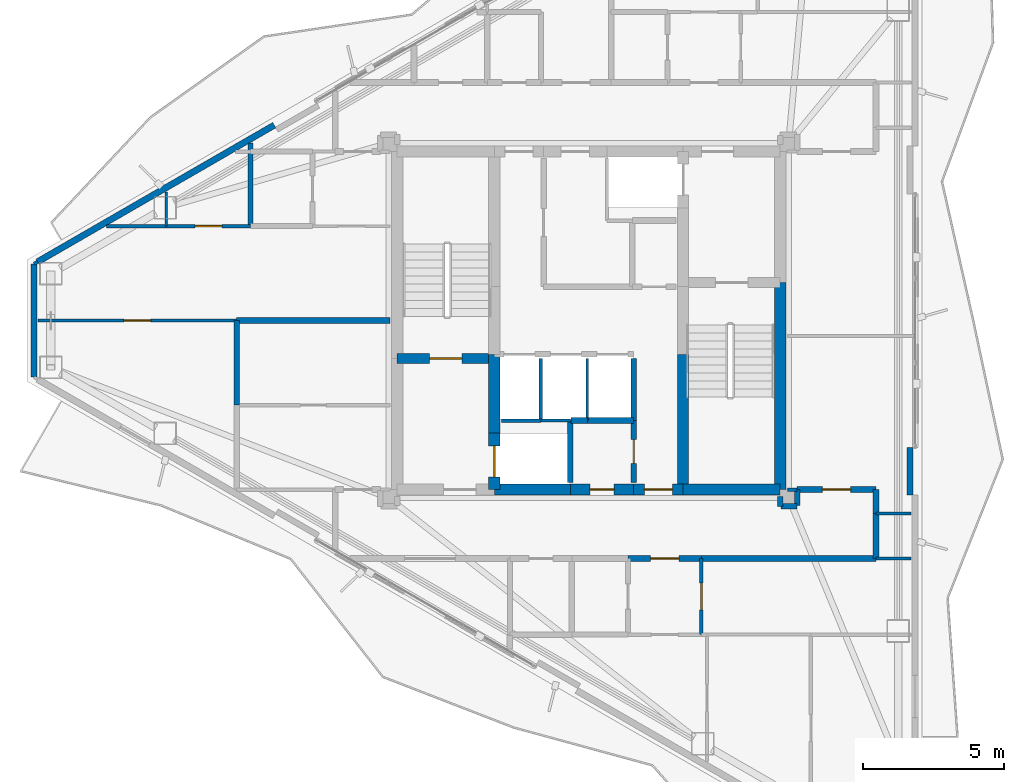
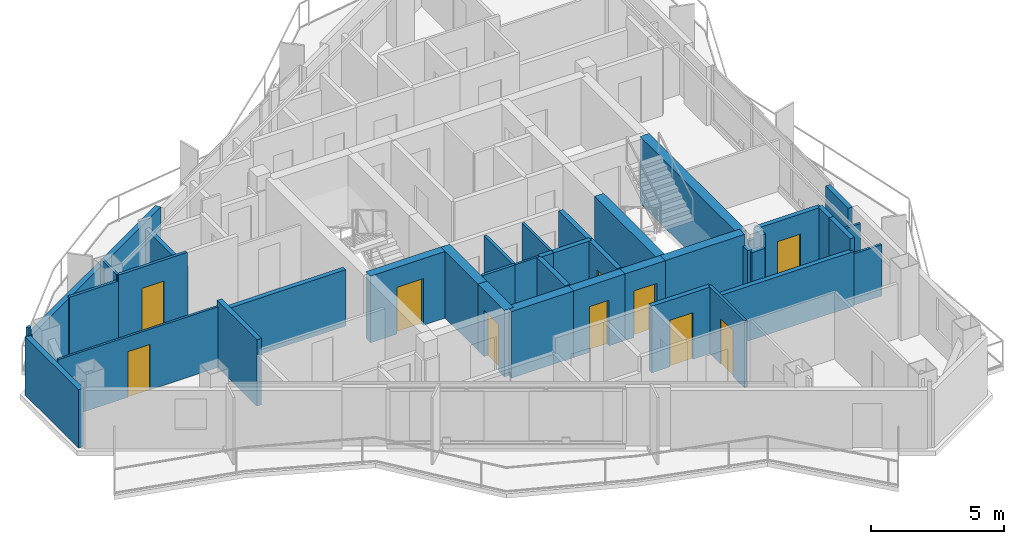
# One storey, part 17 of 22: 41 walls, 10 doors, 10 openings.
"""IFC4 building model written with IfcOpenShell, lengths in metres."""

import ifcopenshell
import ifcopenshell.guid

model = None  # the IFC model being written
_history = None  # IfcOwnerHistory: only IFC2X3 demands one
_inside = {}  # id of a spatial element -> (the spatial element, [elements in it])
_under = {}  # id of a project, library or spatial element -> (it, [spatial elements below it])
_declared = {}  # id of a project -> (the project, [libraries it declares])
_typed = {}  # id of a type object -> (the type object, [elements of that type])
_made_of = {}  # id of a material, layer set ... -> (it, [elements and type objects made of it])


def new_model(schema):
    """Start an empty IFC model of exactly this schema.

    Asked for "IFC4X3", IfcOpenShell would pick the latest addendum, in which some entities
    have other attributes; the version numbers below select the first issue.
    IFC2X3 requires an IfcOwnerHistory on every rooted entity: one is made here for all.
    """
    global model, _history
    if schema == "IFC4X3":
        model = ifcopenshell.file(schema_version=(4, 3, 0, 0))
    else:
        model = ifcopenshell.file(schema=schema)
    _inside.clear()
    _under.clear()
    _declared.clear()
    _typed.clear()
    _made_of.clear()
    _history = None
    if model.schema == "IFC2X3":
        org = make("IfcOrganization", Name="unknown")
        user = make(
            "IfcPersonAndOrganization",
            ThePerson=make("IfcPerson", FamilyName="unknown"),
            TheOrganization=org,
        )
        app = make(
            "IfcApplication",
            ApplicationDeveloper=org,
            Version="unknown",
            ApplicationFullName="unknown",
            ApplicationIdentifier="unknown",
        )
        _history = make(
            "IfcOwnerHistory",
            OwningUser=user,
            OwningApplication=app,
            ChangeAction="ADDED",
            CreationDate=0,
        )
    return model


def make(cls, **values):
    """One entity of the class cls with the attributes given. An attribute that is None is left unset."""
    return model.create_entity(
        cls, **{name: value for name, value in values.items() if value is not None}
    )


def rooted(cls, **values):
    """An entity with a GlobalId (a new one), such as an element, a storey or a relation."""
    return make(cls, GlobalId=ifcopenshell.guid.new(), OwnerHistory=_history, **values)


def si_unit(unit_type, name, prefix=None):
    """IfcSIUnit, for example si_unit("LENGTHUNIT", "METRE", prefix="MILLI")."""
    return make("IfcSIUnit", UnitType=unit_type, Prefix=prefix, Name=name)


def assignment(units):
    """IfcUnitAssignment: the units of a project."""
    return None if units is None else make("IfcUnitAssignment", Units=units)


def point(xyz):
    """IfcCartesianPoint."""
    return None if xyz is None else make("IfcCartesianPoint", Coordinates=xyz)


def direction(xyz):
    """IfcDirection."""
    return None if xyz is None else make("IfcDirection", DirectionRatios=xyz)


def frame(location, z_axis=None, x_axis=None):
    """IfcAxis2Placement3D, a coordinate frame: its origin and axes. An axis left out is left unset."""
    return make(
        "IfcAxis2Placement3D",
        Location=point(location),
        Axis=direction(z_axis),
        RefDirection=direction(x_axis),
    )


def frame_2d(location, x_axis=None):
    """IfcAxis2Placement2D, a coordinate frame in the plane: its origin and x axis."""
    return make(
        "IfcAxis2Placement2D", Location=point(location), RefDirection=direction(x_axis)
    )


def origin():
    """The frame at (0, 0, 0) with its axes left unset."""
    return frame((0.0, 0.0, 0.0))


def place(relative_to, where):
    """IfcLocalPlacement: puts the frame where relative to a parent placement (None: the world)."""
    return make(
        "IfcLocalPlacement", PlacementRelTo=relative_to, RelativePlacement=where
    )


def context(
    kind, dimensions, precision=None, world=None, true_north=None, identifier=None
):
    """IfcGeometricRepresentationContext, for example the 3D "Model" context."""
    return make(
        "IfcGeometricRepresentationContext",
        ContextIdentifier=identifier,
        ContextType=kind,
        CoordinateSpaceDimension=dimensions,
        Precision=precision,
        WorldCoordinateSystem=world,
        TrueNorth=true_north,
    )


def subcontext(parent, identifier, kind, view, scale=None):
    """IfcGeometricRepresentationSubContext, for example "Body" below "Model"."""
    return make(
        "IfcGeometricRepresentationSubContext",
        ContextIdentifier=identifier,
        ContextType=kind,
        ParentContext=parent,
        TargetScale=scale,
        TargetView=view,
    )


def project(units=None, contexts=None):
    """IfcProject with its units and contexts."""
    return rooted(
        "IfcProject",
        Name="project",
        RepresentationContexts=contexts,
        UnitsInContext=assignment(units),
    )


def spatial(cls, under=None, at=None, **own):
    """A site, building, storey or space (cls), placed at a placement, below another one or the project."""
    s = rooted(cls, ObjectPlacement=at, **own)
    if under is not None:
        _under.setdefault(under.id(), (under, []))[1].append(s)
    return s


def profile(cls, at=None, kind="AREA", **sizes):
    """A parametric profile (cls). Its sizes go by their IFC names, for example OverallWidth=200.0."""
    return make(cls, ProfileType=kind, Position=at, **sizes)


def rectangle(**sizes):
    """IfcRectangleProfileDef."""
    return profile("IfcRectangleProfileDef", **sizes)


def extrude(swept, where, along, depth):
    """IfcExtrudedAreaSolid: the profile swept, set in the frame where, extruded along a direction by depth."""
    return make(
        "IfcExtrudedAreaSolid",
        SweptArea=swept,
        Position=where,
        ExtrudedDirection=direction(along),
        Depth=depth,
    )


def shape(context_of_items, identifier, shape_type, items):
    """IfcShapeRepresentation: the items that make up one representation, for example the "Body"."""
    return make(
        "IfcShapeRepresentation",
        ContextOfItems=context_of_items,
        RepresentationIdentifier=identifier,
        RepresentationType=shape_type,
        Items=items,
    )


def material(Name=None, Category=None):
    """IfcMaterial."""
    return make("IfcMaterial", Name=Name, Category=Category)


def layer(
    of_material, thickness, ventilated=None, Name=None, Category=None, Priority=None
):
    """IfcMaterialLayer: one layer of a wall or slab, of a material (None: an air gap)."""
    return make(
        "IfcMaterialLayer",
        Material=of_material,
        LayerThickness=thickness,
        IsVentilated=ventilated,
        Name=Name,
        Category=Category,
        Priority=Priority,
    )


def layer_set(layers, Name=None):
    """IfcMaterialLayerSet."""
    return make("IfcMaterialLayerSet", MaterialLayers=layers, LayerSetName=Name)


def made_of(thing, what):
    """Note that an element or type object is made of a material, layer set ...; save() writes the relation."""
    if what is not None:
        _made_of.setdefault(what.id(), (what, []))[1].append(thing)
    return thing


def type_object(cls, material=None, **own):
    """A type object (cls), such as IfcWallType, which elements share."""
    return made_of(rooted(cls, **own), material)


def element(
    cls,
    number,
    at=None,
    inside=None,
    cuts=None,
    type_object=None,
    material=None,
    context=None,
    identifier="Body",
    shape_type=None,
    held_by="IfcProductDefinitionShape",
    body=None,
    shapes=None,
    **own,
):
    """One element of the class cls, such as IfcWall. Its Tag is "e" and its number.

    at: its placement. inside: the storey or other place that contains it. cuts: it is an
    opening in that element (IfcRelVoidsElement). A single representation is given by context,
    identifier, shape_type and body (its items); several are given by shapes. held_by: the class
    of the entity that holds the representations. save() writes the other relations.
    """
    e = rooted(cls, Tag="e%d" % number, ObjectPlacement=at, **own)
    if body is not None:
        shapes = [shape(context, identifier, shape_type, body)]
    if shapes is not None:
        e.Representation = make(held_by, Representations=shapes)
    if inside is not None:
        _inside.setdefault(inside.id(), (inside, []))[1].append(e)
    if cuts is not None:
        rooted(
            "IfcRelVoidsElement", RelatingBuildingElement=cuts, RelatedOpeningElement=e
        )
    if type_object is not None:
        _typed.setdefault(type_object.id(), (type_object, []))[1].append(e)
    return made_of(e, material)


def fill(opening, filler):
    """IfcRelFillsElement: the door or window that sits in an opening."""
    return rooted(
        "IfcRelFillsElement",
        RelatingOpeningElement=opening,
        RelatedBuildingElement=filler,
    )


def aggregate(whole, parts):
    """IfcRelAggregates: a whole, such as a stair, and the parts it consists of."""
    return rooted("IfcRelAggregates", RelatingObject=whole, RelatedObjects=parts)


def save(model, path):
    """Write the relations noted so far, then the file.

    IfcRelAggregates (storeys below a building ...), IfcRelContainedInSpatialStructure (elements
    in a storey), IfcRelDefinesByType, IfcRelAssociatesMaterial and IfcRelDeclares: one each for
    every whole, place, type object, material and project.
    """
    for whole, parts in _under.values():
        aggregate(whole, parts)
    for where, things in _inside.values():
        rooted(
            "IfcRelContainedInSpatialStructure",
            RelatedElements=things,
            RelatingStructure=where,
        )
    for kind, things in _typed.values():
        rooted("IfcRelDefinesByType", RelatedObjects=things, RelatingType=kind)
    for what, things in _made_of.values():
        rooted("IfcRelAssociatesMaterial", RelatedObjects=things, RelatingMaterial=what)
    for by, libraries in _declared.values():
        rooted("IfcRelDeclares", RelatingContext=by, RelatedDefinitions=libraries)
    model.write(path)


model = new_model("IFC4")

# Units and contexts
model_context = context("Model", 3, precision=1e-05, world=origin(), true_north=direction((0.0, 1.0)))
body_context = subcontext(model_context, "Body", "Model", "MODEL_VIEW")
ifc_project = project(units=[si_unit("LENGTHUNIT", "METRE"), si_unit("AREAUNIT", "SQUARE_METRE"), si_unit("VOLUMEUNIT", "CUBIC_METRE"), si_unit("PLANEANGLEUNIT", "RADIAN"), si_unit("MASSUNIT", "GRAM", prefix="KILO")], contexts=[model_context])

# Site, building, storey
site_placement = place(None, origin())
site = spatial("IfcSite", under=ifc_project, at=site_placement, CompositionType="ELEMENT")
building_placement = place(site_placement, origin())
building = spatial("IfcBuilding", under=site, at=building_placement, Name="Mersakhor Tower and Convention Hall", CompositionType="ELEMENT")
storey_placement = place(building_placement, frame((0.0, 0.0, 195.300048828125)))
storey = spatial("IfcBuildingStorey", under=building, at=storey_placement, Name="L54", CompositionType="ELEMENT", Elevation=195.300048828125)

# Walls
ifc_material_1 = material(Name="Precast concrete C40/50", Category="concrete")
ifc_layer_1 = layer(ifc_material_1, 0.22509765625)
ifc_layer_set_1 = layer_set([ifc_layer_1], Name="Precast concrete C40/50")
wall_type_1 = type_object("IfcWallType", Name="WL-EXT-225", PredefinedType="SOLIDWALL", material=ifc_layer_set_1)
wall_1_placement = place(storey_placement, frame((9.3076171875, 24.73828125, 0.0), z_axis=(0.0, 0.0, 1.0), x_axis=(0.0, 1.0, 0.0)))
element("IfcWall", 1, at=wall_1_placement, inside=storey, type_object=wall_type_1, Name="L54 Chamfer Braced Spandrel Wall C3", PredefinedType="SOLIDWALL", context=body_context, shape_type="SweptSolid", body=[
    extrude(rectangle(XDim=4.0234375, YDim=0.22509765625, at=frame_2d((2.01171875, 0.0))), origin(), (0.0, 0.0, 1.0), 2.68994140625),
])
wall_2_placement = place(storey_placement, frame((9.4375, 28.836669921875, 0.0), z_axis=(0.0, 0.0, 1.0), x_axis=(0.866027133173, 0.499997004599, 0.0)))
element("IfcWall", 2, at=wall_2_placement, inside=storey, type_object=wall_type_1, Name="L54 Exterior Facade Wall F1-B1", PredefinedType="SOLIDWALL", context=body_context, shape_type="SweptSolid", body=[
    extrude(rectangle(XDim=9.69873046875, YDim=0.22509765625, at=frame_2d((4.849365234375, 0.0))), origin(), (0.0, 0.0, 1.0), 2.68994140625),
])
ifc_material_2 = material(Name="Precast concrete C40/50", Category="concrete")
ifc_layer_2 = layer(ifc_material_2, 0.199951171875)
ifc_layer_set_2 = layer_set([ifc_layer_2], Name="Precast concrete C40/50")
wall_type_2 = type_object("IfcWallType", Name="WL-PAR-200", PredefinedType="PARAPET", material=ifc_layer_set_2)
wall_3_placement = place(storey_placement, frame((40.408447265625, 22.25048828125, 0.0), z_axis=(0.0, 0.0, 1.0), x_axis=(0.0, -1.0, 0.0)))
element("IfcWall", 3, at=wall_3_placement, inside=storey, type_object=wall_type_2, Name="L54 Column Pier Cladding Wall F2-C2", PredefinedType="PARAPET", context=body_context, shape_type="SweptSolid", body=[
    extrude(rectangle(XDim=1.699951171875, YDim=0.199951171875, at=frame_2d((0.85009765625, 0.0))), origin(), (0.0, 0.0, 1.0), 2.68994140625),
])
ifc_material_3 = material(Name="Moisture-resistant acoustic drywall studwork", Category="other")
ifc_layer_3 = layer(ifc_material_3, 0.175048828125)
ifc_layer_set_3 = layer_set([ifc_layer_3], Name="Moisture-resistant acoustic drywall studwork")
wall_type_3 = type_object("IfcWallType", Name="WL-PLM-175", PredefinedType="PLUMBINGWALL", material=ifc_layer_set_3)
wall_4_placement = place(storey_placement, frame((17.0, 30.10009765625, 0.0), z_axis=(0.0, 0.0, 1.0), x_axis=(0.0, 1.0, 0.0)))
element("IfcWall", 4, at=wall_4_placement, inside=storey, type_object=wall_type_3, Name="L54 Interior Partition Wall P-078", PredefinedType="PLUMBINGWALL", context=body_context, shape_type="SweptSolid", body=[
    extrude(rectangle(XDim=2.9453125, YDim=0.175048828125, at=frame_2d((1.47265625, 0.0))), origin(), (0.0, 0.0, 1.0), 2.364990234375),
])
ifc_material_4 = material(Name="Lightweight gypsum partition", Category="other")
ifc_layer_4 = layer(ifc_material_4, 0.10009765625)
ifc_layer_set_4 = layer_set([ifc_layer_4], Name="Lightweight gypsum partition")
wall_type_4 = type_object("IfcWallType", Name="WL-PRT-100", PredefinedType="PARTITIONING", material=ifc_layer_set_4)
wall_5_placement = place(storey_placement, frame((27.300048828125, 23.199951171875, 0.0), z_axis=(0.0, 0.0, 1.0), x_axis=(1.0, 0.0, 0.0)))
element("IfcWall", 5, at=wall_5_placement, inside=storey, type_object=wall_type_4, Name="L54 Interior Partition Wall P-002", PredefinedType="PARTITIONING", context=body_context, shape_type="SweptSolid", body=[
    extrude(rectangle(XDim=1.050048828125, YDim=0.10009765625, at=frame_2d((0.52490234375, 0.0))), origin(), (0.0, 0.0, 1.0), 3.070068359375),
])
wall_6_placement = place(storey_placement, frame((28.949951171875, 25.39990234375, 0.0), z_axis=(0.0, 0.0, 1.0), x_axis=(0.0, -1.0, 0.0)))
element("IfcWall", 6, at=wall_6_placement, inside=storey, type_object=wall_type_4, Name="L54 Interior Partition Wall P-008", PredefinedType="PARTITIONING", context=body_context, shape_type="SweptSolid", body=[
    extrude(rectangle(XDim=2.199951171875, YDim=0.10009765625, at=frame_2d((1.10009765625, 0.0))), origin(), (0.0, 0.0, 1.0), 3.070068359375),
])
wall_7_placement = place(storey_placement, frame((39.199951171875, 18.300048828125, 0.0), z_axis=(0.0, 0.0, 1.0), x_axis=(1.0, 0.0, 0.0)))
element("IfcWall", 7, at=wall_7_placement, inside=storey, type_object=wall_type_4, Name="L54 Interior Partition Wall P-072", PredefinedType="PARTITIONING", context=body_context, shape_type="SweptSolid", body=[
    extrude(rectangle(XDim=1.251953125, YDim=0.10009765625, at=frame_2d((0.6259765625, 0.0))), origin(), (0.0, 0.0, 1.0), 2.364990234375),
])
wall_8_placement = place(storey_placement, frame((14.0, 30.10009765625, 0.0), z_axis=(0.0, 0.0, 1.0), x_axis=(0.0, 1.0, 0.0)))
element("IfcWall", 8, at=wall_8_placement, inside=storey, type_object=wall_type_4, Name="L54 Interior Partition Wall P-080", PredefinedType="PARTITIONING", context=body_context, shape_type="SweptSolid", body=[
    extrude(rectangle(XDim=1.213134765625, YDim=0.10009765625, at=frame_2d((0.6064453125, 0.0))), origin(), (0.0, 0.0, 1.0), 3.070068359375),
])
wall_9_placement = place(storey_placement, frame((40.451904296875, 19.89990234375, 0.0), z_axis=(0.0, 0.0, 1.0), x_axis=(-1.0, 0.0, 0.0)))
element("IfcWall", 9, at=wall_9_placement, inside=storey, type_object=wall_type_4, Name="L54 Interior Partition Wall P-094", PredefinedType="PARTITIONING", context=body_context, shape_type="SweptSolid", body=[
    extrude(rectangle(XDim=1.251953125, YDim=0.10009765625, at=frame_2d((0.6259765625, 0.0))), origin(), (0.0, 0.0, 1.0), 2.364990234375),
])

# Wall, opening, door
wall_10_placement = place(storey_placement, frame((16.5, 26.75, 0.0), z_axis=(0.0, 0.0, 1.0), x_axis=(-1.0, 0.0, 0.0)))
wall_10 = element("IfcWall", 10, at=wall_10_placement, inside=storey, type_object=wall_type_4, Name="L54 Interior Partition Wall P-104", PredefinedType="PARTITIONING", context=body_context, shape_type="SweptSolid", body=[
    extrude(rectangle(XDim=7.055908203125, YDim=0.10009765625, at=frame_2d((3.52783203125, 0.0))), origin(), (0.0, 0.0, 1.0), 2.794677734375),
])
opening_1_placement = place(wall_10_placement, frame((3.052978515625, 0.0, 0.0)))
opening_1 = element("IfcOpeningElement", 11, at=opening_1_placement, cuts=wall_10, Name="Opening RD-01", PredefinedType="OPENING", context=body_context, shape_type="SweptSolid", body=[
    extrude(rectangle(XDim=0.949951171875, YDim=2.10009765625, at=frame_2d((0.47509765625, 1.050048828125))), frame((0.0, 0.06005859375, 0.0), z_axis=(0.0, -1.0, 0.0), x_axis=(1.0, 0.0, 0.0)), (0.0, 0.0, 1.0), 0.1201171875),
])
ifc_material_5 = material(Name="Solid-core hardwood leaf in painted steel frame", Category="steel")
door_type_1 = type_object("IfcDoorType", Name="DR-INT-RM-095x210", OperationType="NOTDEFINED", PredefinedType="DOOR", material=ifc_material_5)
door_1_placement = place(opening_1_placement, origin())
door_1 = element("IfcDoor", 12, at=door_1_placement, inside=storey, type_object=door_type_1, Name="L54 L54 Flat W4 Living and Dining Room to L54 Flat W4 Master Bedroom Door", OperationType="SINGLE_SWING_LEFT", OverallHeight=2.10009765625, OverallWidth=0.949951171875, PredefinedType="DOOR", context=body_context, shape_type="SweptSolid", body=[
    extrude(rectangle(XDim=0.949951171875, YDim=2.10009765625, at=frame_2d((0.47509765625, 1.050048828125))), frame((0.0, 0.02490234375, 0.0), z_axis=(0.0, -1.0, 0.0), x_axis=(1.0, 0.0, 0.0)), (0.0, 0.0, 1.0), 0.050048828125),
])
fill(opening_1, door_1)

# Walls
ifc_material_6 = material(Name="Gypsum board acoustic partition", Category="other")
ifc_layer_5 = layer(ifc_material_6, 0.125)
ifc_layer_set_5 = layer_set([ifc_layer_5], Name="Gypsum board acoustic partition")
wall_type_5 = type_object("IfcWallType", Name="WL-PRT-125", PredefinedType="PARTITIONING", material=ifc_layer_set_5)
wall_11_placement = place(storey_placement, frame((25.89990234375, 23.199951171875, 0.0), z_axis=(0.0, 0.0, 1.0), x_axis=(1.0, 0.0, 0.0)))
element("IfcWall", 13, at=wall_11_placement, inside=storey, type_object=wall_type_5, Name="L54 Interior Partition Wall P-001", PredefinedType="PARTITIONING", context=body_context, shape_type="SweptSolid", body=[
    extrude(rectangle(XDim=1.400146484375, YDim=0.125, at=frame_2d((0.7001953125, 0.0))), origin(), (0.0, 0.0, 1.0), 3.070068359375),
])
wall_12_placement = place(storey_placement, frame((27.300048828125, 25.39990234375, 0.0), z_axis=(0.0, 0.0, 1.0), x_axis=(0.0, -1.0, 0.0)))
element("IfcWall", 14, at=wall_12_placement, inside=storey, type_object=wall_type_5, Name="L54 Interior Partition Wall P-007", PredefinedType="PARTITIONING", context=body_context, shape_type="SweptSolid", body=[
    extrude(rectangle(XDim=2.199951171875, YDim=0.125, at=frame_2d((1.10009765625, 0.0))), origin(), (0.0, 0.0, 1.0), 3.070068359375),
])

# Wall, opening, door
wall_13_placement = place(storey_placement, frame((33.0, 18.300048828125, 0.0), z_axis=(0.0, 0.0, 1.0), x_axis=(0.0, -1.0, 0.0)))
wall_13 = element("IfcWall", 15, at=wall_13_placement, inside=storey, type_object=wall_type_5, Name="L54 Interior Partition Wall P-055", PredefinedType="PARTITIONING", context=body_context, shape_type="SweptSolid", body=[
    extrude(rectangle(XDim=2.699951171875, YDim=0.125, at=frame_2d((1.35009765625, 0.0))), origin(), (0.0, 0.0, 1.0), 3.070068359375),
])
opening_2_placement = place(wall_13_placement, frame((0.875, 0.0, 0.0)))
opening_2 = element("IfcOpeningElement", 16, at=opening_2_placement, cuts=wall_13, Name="Opening RD-01", PredefinedType="OPENING", context=body_context, shape_type="SweptSolid", body=[
    extrude(rectangle(XDim=0.949951171875, YDim=2.10009765625, at=frame_2d((0.47509765625, 1.050048828125))), frame((0.0, 0.072509765625, 0.0), z_axis=(0.0, -1.0, 0.0), x_axis=(1.0, 0.0, 0.0)), (0.0, 0.0, 1.0), 0.14501953125),
])
door_2_placement = place(opening_2_placement, origin())
door_2 = element("IfcDoor", 17, at=door_2_placement, inside=storey, type_object=door_type_1, Name="L54 L54 Flat S3 Apartment Hall to L54 Flat S3 Kitchen Door", OperationType="SINGLE_SWING_LEFT", OverallHeight=2.10009765625, OverallWidth=0.949951171875, PredefinedType="DOOR", context=body_context, shape_type="SweptSolid", body=[
    extrude(rectangle(XDim=0.949951171875, YDim=2.10009765625, at=frame_2d((0.47509765625, 1.050048828125))), frame((0.0, 0.02490234375, 0.0), z_axis=(0.0, -1.0, 0.0), x_axis=(1.0, 0.0, 0.0)), (0.0, 0.0, 1.0), 0.050048828125),
])
fill(opening_2, door_2)

wall_14_placement = place(storey_placement, frame((17.0, 30.10009765625, 0.0), z_axis=(0.0, 0.0, 1.0), x_axis=(-1.0, 0.0, 0.0)))
wall_14 = element("IfcWall", 18, at=wall_14_placement, inside=storey, type_object=wall_type_5, Name="L54 Interior Partition Wall P-079", PredefinedType="PARTITIONING", context=body_context, shape_type="SweptSolid", body=[
    extrude(rectangle(XDim=3.0, YDim=0.125, at=frame_2d((1.5, 0.0))), origin(), (0.0, 0.0, 1.0), 3.070068359375),
])
opening_3_placement = place(wall_14_placement, frame((1.02490234375, 0.0, 0.0)))
opening_3 = element("IfcOpeningElement", 19, at=opening_3_placement, cuts=wall_14, Name="Opening RD-01", PredefinedType="OPENING", context=body_context, shape_type="SweptSolid", body=[
    extrude(rectangle(XDim=0.949951171875, YDim=2.10009765625, at=frame_2d((0.47509765625, 1.050048828125))), frame((0.0, 0.072509765625, 0.0), z_axis=(0.0, -1.0, 0.0), x_axis=(1.0, 0.0, 0.0)), (0.0, 0.0, 1.0), 0.14501953125),
])
door_3_placement = place(opening_3_placement, origin())
door_3 = element("IfcDoor", 20, at=door_3_placement, inside=storey, type_object=door_type_1, Name="L54 L54 Flat W4 Kitchen to L54 Flat W4 Living and Dining Room Door", OperationType="SINGLE_SWING_LEFT", OverallHeight=2.10009765625, OverallWidth=0.949951171875, PredefinedType="DOOR", context=body_context, shape_type="SweptSolid", body=[
    extrude(rectangle(XDim=0.949951171875, YDim=2.10009765625, at=frame_2d((0.47509765625, 1.050048828125))), frame((0.0, 0.02490234375, 0.0), z_axis=(0.0, -1.0, 0.0), x_axis=(1.0, 0.0, 0.0)), (0.0, 0.0, 1.0), 0.050048828125),
])
fill(opening_3, door_3)

# Walls
wall_15_placement = place(storey_placement, frame((36.39990234375, 20.75, 0.0), z_axis=(0.0, 0.0, 1.0), x_axis=(-1.0, 0.0, 0.0)))
element("IfcWall", 21, at=wall_15_placement, inside=storey, type_object=wall_type_5, Name="L54 Interior Partition Wall P-093", PredefinedType="PARTITIONING", context=body_context, shape_type="SweptSolid", body=[
    extrude(rectangle(XDim=0.349853515625, YDim=0.125, at=frame_2d((0.1748046875, 0.0))), origin(), (0.0, 0.0, 1.0), 2.594970703125),
])
wall_16_placement = place(storey_placement, frame((11.873779296875, 30.10009765625, 0.0), z_axis=(0.0, 0.0, 1.0), x_axis=(1.0, 0.0, 0.0)))
element("IfcWall", 22, at=wall_16_placement, inside=storey, type_object=wall_type_5, Name="L54 Interior Partition Wall P-103", PredefinedType="PARTITIONING", context=body_context, shape_type="SweptSolid", body=[
    extrude(rectangle(XDim=2.126220703125, YDim=0.125, at=frame_2d((1.06298828125, 0.0))), origin(), (0.0, 0.0, 1.0), 2.794677734375),
])
wall_17_placement = place(storey_placement, frame((9.306884765625, 28.761962890625, 0.0), z_axis=(0.0, 0.0, 1.0), x_axis=(0.866239593359, 0.499628829129, 0.0)))
element("IfcWall", 23, at=wall_17_placement, inside=storey, type_object=wall_type_5, Name="L54 Interior Partition Wall P-105", PredefinedType="PARTITIONING", context=body_context, shape_type="SweptSolid", body=[
    extrude(rectangle(XDim=0.150390625, YDim=0.125, at=frame_2d((0.0751953125, 0.0))), origin(), (0.0, 0.0, 1.0), 3.070068359375),
])
ifc_material_7 = material(Name="Acoustic concrete blockwork and gypsum board", Category="masonry")
ifc_layer_6 = layer(ifc_material_7, 0.199951171875)
ifc_layer_set_6 = layer_set([ifc_layer_6], Name="Acoustic concrete blockwork and gypsum board")
wall_type_6 = type_object("IfcWallType", Name="WL-PRT-200", PredefinedType="PARTITIONING", material=ifc_layer_set_6)
wall_18_placement = place(storey_placement, frame((28.35009765625, 23.199951171875, 0.0), z_axis=(0.0, 0.0, 1.0), x_axis=(0.0, -1.0, 0.0)))
element("IfcWall", 24, at=wall_18_placement, inside=storey, type_object=wall_type_6, Name="L54 Interior Partition Wall P-003", PredefinedType="PARTITIONING", context=body_context, shape_type="SweptSolid", body=[
    extrude(rectangle(XDim=2.199951171875, YDim=0.199951171875, at=frame_2d((1.10009765625, 0.0))), origin(), (0.0, 0.0, 1.0), 3.070068359375),
])
wall_19_placement = place(storey_placement, frame((28.949951171875, 23.199951171875, 0.0), z_axis=(0.0, 0.0, 1.0), x_axis=(-1.0, 0.0, 0.0)))
element("IfcWall", 25, at=wall_19_placement, inside=storey, type_object=wall_type_6, Name="L54 Interior Partition Wall P-009", PredefinedType="PARTITIONING", context=body_context, shape_type="SweptSolid", body=[
    extrude(rectangle(XDim=0.570068359375, YDim=0.199951171875, at=frame_2d((0.28515625, 0.0))), origin(), (0.0, 0.0, 1.0), 3.070068359375),
])
wall_20_placement = place(storey_placement, frame((30.60009765625, 25.39990234375, 0.0), z_axis=(0.0, 0.0, 1.0), x_axis=(0.0, -1.0, 0.0)))
element("IfcWall", 26, at=wall_20_placement, inside=storey, type_object=wall_type_6, Name="L54 Interior Partition Wall P-010", PredefinedType="PARTITIONING", context=body_context, shape_type="SweptSolid", body=[
    extrude(rectangle(XDim=2.199951171875, YDim=0.199951171875, at=frame_2d((1.10009765625, 0.0))), origin(), (0.0, 0.0, 1.0), 3.070068359375),
])
wall_21_placement = place(storey_placement, frame((30.60009765625, 23.199951171875, 0.0), z_axis=(0.0, 0.0, 1.0), x_axis=(-1.0, 0.0, 0.0)))
element("IfcWall", 27, at=wall_21_placement, inside=storey, type_object=wall_type_6, Name="L54 Interior Partition Wall P-011", PredefinedType="PARTITIONING", context=body_context, shape_type="SweptSolid", body=[
    extrude(rectangle(XDim=1.650146484375, YDim=0.199951171875, at=frame_2d((0.8251953125, 0.0))), origin(), (0.0, 0.0, 1.0), 3.070068359375),
])

# Wall, opening, door
wall_22_placement = place(storey_placement, frame((30.60009765625, 21.0, 0.0), z_axis=(0.0, 0.0, 1.0), x_axis=(0.0, 1.0, 0.0)))
wall_22 = element("IfcWall", 28, at=wall_22_placement, inside=storey, type_object=wall_type_6, Name="L54 Interior Partition Wall P-012", PredefinedType="PARTITIONING", context=body_context, shape_type="SweptSolid", body=[
    extrude(rectangle(XDim=2.199951171875, YDim=0.199951171875, at=frame_2d((1.10009765625, 0.0))), origin(), (0.0, 0.0, 1.0), 3.070068359375),
])
opening_4_placement = place(wall_22_placement, frame((0.675048828125, 0.0, 0.0)))
opening_4 = element("IfcOpeningElement", 29, at=opening_4_placement, cuts=wall_22, Name="Opening SVD-01", PredefinedType="OPENING", context=body_context, shape_type="SweptSolid", body=[
    extrude(rectangle(XDim=0.85009765625, YDim=2.10009765625, at=frame_2d((0.425048828125, 1.050048828125))), frame((0.0, 0.10986328125, 0.0), z_axis=(0.0, -1.0, 0.0), x_axis=(1.0, 0.0, 0.0)), (0.0, 0.0, 1.0), 0.219970703125),
])
ifc_material_8 = material(Name="Fire-rated hardwood leaf and painted steel frame", Category="steel")
door_type_2 = type_object("IfcDoorType", Name="DR-INT-SVC-085x210", OperationType="NOTDEFINED", PredefinedType="DOOR", material=ifc_material_8)
door_4_placement = place(opening_4_placement, origin())
door_4 = element("IfcDoor", 30, at=door_4_placement, inside=storey, type_object=door_type_2, Name="L54 Central Passenger Lift Lobby to Electrical Distribution Room Door", OperationType="SINGLE_SWING_LEFT", OverallHeight=2.10009765625, OverallWidth=0.85009765625, PredefinedType="DOOR", context=body_context, shape_type="SweptSolid", body=[
    extrude(rectangle(XDim=0.85009765625, YDim=2.10009765625, at=frame_2d((0.425048828125, 1.050048828125))), frame((0.0, 0.02490234375, 0.0), z_axis=(0.0, -1.0, 0.0), x_axis=(1.0, 0.0, 0.0)), (0.0, 0.0, 1.0), 0.050048828125),
])
fill(opening_4, door_4)

# Walls
wall_23_placement = place(storey_placement, frame((35.800048828125, 20.5, 0.0), z_axis=(0.0, 0.0, 1.0), x_axis=(0.0, -1.0, 0.0)))
element("IfcWall", 31, at=wall_23_placement, inside=storey, type_object=wall_type_6, Name="L54 Interior Partition Wall P-038", PredefinedType="PARTITIONING", context=body_context, shape_type="SweptSolid", body=[
    extrude(rectangle(XDim=0.35009765625, YDim=0.199951171875, at=frame_2d((0.175048828125, 0.0))), origin(), (0.0, 0.0, 1.0), 2.594970703125),
])
wall_24_placement = place(storey_placement, frame((35.830078125, 20.14990234375, 0.0), z_axis=(0.0, 0.0, 1.0), x_axis=(1.0, 0.0, 0.0)))
element("IfcWall", 32, at=wall_24_placement, inside=storey, type_object=wall_type_6, Name="L54 Interior Partition Wall P-039", PredefinedType="PARTITIONING", context=body_context, shape_type="SweptSolid", body=[
    extrude(rectangle(XDim=0.56982421875, YDim=0.199951171875, at=frame_2d((0.284912109375, 0.0))), origin(), (0.0, 0.0, 1.0), 2.518310546875),
])
wall_25_placement = place(storey_placement, frame((36.39990234375, 20.179931640625, 0.0), z_axis=(0.0, 0.0, 1.0), x_axis=(0.0, 1.0, 0.0)))
element("IfcWall", 33, at=wall_25_placement, inside=storey, type_object=wall_type_6, Name="L54 Interior Partition Wall P-040", PredefinedType="PARTITIONING", context=body_context, shape_type="SweptSolid", body=[
    extrude(rectangle(XDim=0.570068359375, YDim=0.199951171875, at=frame_2d((0.28515625, 0.0))), origin(), (0.0, 0.0, 1.0), 3.070068359375),
])

# Wall, opening, door
wall_26_placement = place(storey_placement, frame((36.39990234375, 20.75, 0.0), z_axis=(0.0, 0.0, 1.0), x_axis=(1.0, 0.0, 0.0)))
wall_26 = element("IfcWall", 34, at=wall_26_placement, inside=storey, type_object=wall_type_6, Name="L54 Interior Partition Wall P-041", PredefinedType="PARTITIONING", context=body_context, shape_type="SweptSolid", body=[
    extrude(rectangle(XDim=2.800048828125, YDim=0.199951171875, at=frame_2d((1.39990234375, 0.0))), origin(), (0.0, 0.0, 1.0), 3.070068359375),
])
opening_5_placement = place(wall_26_placement, frame((0.89990234375, 0.0, 0.0)))
opening_5 = element("IfcOpeningElement", 35, at=opening_5_placement, cuts=wall_26, Name="Opening FD-01", PredefinedType="OPENING", context=body_context, shape_type="SweptSolid", body=[
    extrude(rectangle(XDim=1.0, YDim=2.14990234375, at=frame_2d((0.5, 1.074951171875))), frame((0.0, 0.10986328125, 0.0), z_axis=(0.0, -1.0, 0.0), x_axis=(1.0, 0.0, 0.0)), (0.0, 0.0, 1.0), 0.219970703125),
])
ifc_material_9 = material(Name="Fire-rated hardwood leaf and painted steel frame", Category="steel")
door_type_3 = type_object("IfcDoorType", Name="DR-INT-FLT-100x215", OperationType="NOTDEFINED", PredefinedType="DOOR", material=ifc_material_9)
door_5_placement = place(opening_5_placement, origin())
door_5 = element("IfcDoor", 36, at=door_5_placement, inside=storey, type_object=door_type_3, Name="L54 Residential South Gallery Corridor to L54 East Wing Residents Reading Lounge Door", OperationType="SINGLE_SWING_RIGHT", OverallHeight=2.14990234375, OverallWidth=1.0, PredefinedType="DOOR", context=body_context, shape_type="SweptSolid", body=[
    extrude(rectangle(XDim=1.0, YDim=2.14990234375, at=frame_2d((0.5, 1.074951171875))), frame((0.0, 0.02490234375, 0.0), z_axis=(0.0, -1.0, 0.0), x_axis=(1.0, 0.0, 0.0)), (0.0, 0.0, 1.0), 0.050048828125),
])
fill(opening_5, door_5)

# Walls
wall_27_placement = place(storey_placement, frame((39.199951171875, 20.75, 0.0), z_axis=(0.0, 0.0, 1.0), x_axis=(0.0, -1.0, 0.0)))
element("IfcWall", 37, at=wall_27_placement, inside=storey, type_object=wall_type_6, Name="L54 Interior Partition Wall P-042", PredefinedType="PARTITIONING", context=body_context, shape_type="SweptSolid", body=[
    extrude(rectangle(XDim=0.85009765625, YDim=0.199951171875, at=frame_2d((0.425048828125, 0.0))), origin(), (0.0, 0.0, 1.0), 3.070068359375),
])
wall_28_placement = place(storey_placement, frame((39.199951171875, 19.89990234375, 0.0), z_axis=(0.0, 0.0, 1.0), x_axis=(0.0, -1.0, 0.0)))
element("IfcWall", 38, at=wall_28_placement, inside=storey, type_object=wall_type_6, Name="L54 Interior Partition Wall P-043", PredefinedType="PARTITIONING", context=body_context, shape_type="SweptSolid", body=[
    extrude(rectangle(XDim=1.599853515625, YDim=0.199951171875, at=frame_2d((0.7998046875, 0.0))), origin(), (0.0, 0.0, 1.0), 3.070068359375),
])
wall_29_placement = place(storey_placement, frame((39.199951171875, 18.300048828125, 0.0), z_axis=(0.0, 0.0, 1.0), x_axis=(-1.0, 0.0, 0.0)))
element("IfcWall", 39, at=wall_29_placement, inside=storey, type_object=wall_type_6, Name="L54 Interior Partition Wall P-044", PredefinedType="PARTITIONING", context=body_context, shape_type="SweptSolid", body=[
    extrude(rectangle(XDim=6.199951171875, YDim=0.199951171875, at=frame_2d((3.10009765625, 0.0))), origin(), (0.0, 0.0, 1.0), 2.518310546875),
])

# Wall, opening, door
wall_30_placement = place(storey_placement, frame((33.0, 18.300048828125, 0.0), z_axis=(0.0, 0.0, 1.0), x_axis=(-1.0, 0.0, 0.0)))
wall_30 = element("IfcWall", 40, at=wall_30_placement, inside=storey, type_object=wall_type_6, Name="L54 Interior Partition Wall P-045", PredefinedType="PARTITIONING", context=body_context, shape_type="SweptSolid", body=[
    extrude(rectangle(XDim=2.60009765625, YDim=0.199951171875, at=frame_2d((1.300048828125, 0.0))), origin(), (0.0, 0.0, 1.0), 3.070068359375),
])
opening_6_placement = place(wall_30_placement, frame((0.800048828125, 0.0, 0.0)))
opening_6 = element("IfcOpeningElement", 41, at=opening_6_placement, cuts=wall_30, Name="Opening FD-01", PredefinedType="OPENING", context=body_context, shape_type="SweptSolid", body=[
    extrude(rectangle(XDim=1.0, YDim=2.14990234375, at=frame_2d((0.5, 1.074951171875))), frame((0.0, 0.10986328125, 0.0), z_axis=(0.0, -1.0, 0.0), x_axis=(1.0, 0.0, 0.0)), (0.0, 0.0, 1.0), 0.219970703125),
])
door_6_placement = place(opening_6_placement, origin())
door_6 = element("IfcDoor", 42, at=door_6_placement, inside=storey, type_object=door_type_3, Name="L54 Apartment Entrance Door (Residential South Gallery Corridor to L54 Flat S3 Apartment Hall)", OperationType="SINGLE_SWING_LEFT", OverallHeight=2.14990234375, OverallWidth=1.0, PredefinedType="DOOR", context=body_context, shape_type="SweptSolid", body=[
    extrude(rectangle(XDim=1.0, YDim=2.14990234375, at=frame_2d((0.5, 1.074951171875))), frame((0.0, 0.02490234375, 0.0), z_axis=(0.0, -1.0, 0.0), x_axis=(1.0, 0.0, 0.0)), (0.0, 0.0, 1.0), 0.050048828125),
])
fill(opening_6, door_6)

# Walls
wall_31_placement = place(storey_placement, frame((16.5, 23.75, 0.0), z_axis=(0.0, 0.0, 1.0), x_axis=(0.0, 1.0, 0.0)))
element("IfcWall", 43, at=wall_31_placement, inside=storey, type_object=wall_type_6, Name="L54 Interior Partition Wall P-088", PredefinedType="PARTITIONING", context=body_context, shape_type="SweptSolid", body=[
    extrude(rectangle(XDim=3.0, YDim=0.199951171875, at=frame_2d((1.5, 0.0))), origin(), (0.0, 0.0, 1.0), 3.070068359375),
])
wall_32_placement = place(storey_placement, frame((16.5, 26.75, 0.0), z_axis=(0.0, 0.0, 1.0), x_axis=(1.0, 0.0, 0.0)))
element("IfcWall", 44, at=wall_32_placement, inside=storey, type_object=wall_type_6, Name="L54 Interior Partition Wall P-089", PredefinedType="PARTITIONING", context=body_context, shape_type="SweptSolid", body=[
    extrude(rectangle(XDim=5.449951171875, YDim=0.199951171875, at=frame_2d((2.72509765625, 0.0))), origin(), (0.0, 0.0, 1.0), 2.594970703125),
])

# Wall, opening, door
ifc_material_10 = material(Name="Concrete C50/60", Category="concrete")
ifc_layer_7 = layer(ifc_material_10, 0.35009765625)
ifc_layer_set_7 = layer_set([ifc_layer_7], Name="Concrete C50/60")
wall_type_7 = type_object("IfcWallType", Name="WL-SHR-350", PredefinedType="SHEAR", material=ifc_layer_set_7)
wall_33_placement = place(storey_placement, frame((22.199951171875, 25.39990234375, 0.0), z_axis=(0.0, 0.0, 1.0), x_axis=(1.0, 0.0, 0.0)))
wall_33 = element("IfcWall", 45, at=wall_33_placement, inside=storey, type_object=wall_type_7, Name="L54 Core Wall CS-ST1-S", PredefinedType="SHEAR", context=body_context, shape_type="SweptSolid", body=[
    extrude(rectangle(XDim=3.449951171875, YDim=0.35009765625, at=frame_2d((1.72509765625, 0.0))), origin(), (0.0, 0.0, 1.0), 3.070068359375),
])
opening_7_placement = place(wall_33_placement, frame((1.14990234375, 0.0, 0.0)))
opening_7 = element("IfcOpeningElement", 46, at=opening_7_placement, cuts=wall_33, Name="Opening SD-01", PredefinedType="OPENING", context=body_context, shape_type="SweptSolid", body=[
    extrude(rectangle(XDim=1.14990234375, YDim=2.14990234375, at=frame_2d((0.574951171875, 1.074951171875))), frame((0.0, 0.18505859375, 0.0), z_axis=(0.0, -1.0, 0.0), x_axis=(1.0, 0.0, 0.0)), (0.0, 0.0, 1.0), 0.3701171875),
])
ifc_material_11 = material(Name="Fire-rated hardwood leaf and painted steel frame", Category="steel")
door_type_4 = type_object("IfcDoorType", Name="DR-INT-STAIR-115x215", OperationType="NOTDEFINED", PredefinedType="DOOR", material=ifc_material_11)
door_7_placement = place(opening_7_placement, origin())
door_7 = element("IfcDoor", 47, at=door_7_placement, inside=storey, type_object=door_type_4, Name="L54 Exit Stair ST-1 Enclosure Door", OperationType="SINGLE_SWING_LEFT", OverallHeight=2.14990234375, OverallWidth=1.14990234375, PredefinedType="DOOR", context=body_context, shape_type="SweptSolid", body=[
    extrude(rectangle(XDim=1.14990234375, YDim=2.14990234375, at=frame_2d((0.574951171875, 1.074951171875))), frame((0.0, 0.02490234375, 0.0), z_axis=(0.0, -1.0, 0.0), x_axis=(1.0, 0.0, 0.0)), (0.0, 0.0, 1.0), 0.050048828125),
])
fill(opening_7, door_7)

# Walls
ifc_material_12 = material(Name="Concrete C60/75", Category="concrete")
ifc_layer_8 = layer(ifc_material_12, 0.39990234375)
ifc_layer_set_8 = layer_set([ifc_layer_8], Name="Concrete C60/75")
wall_type_8 = type_object("IfcWallType", Name="WL-SHR-400", PredefinedType="SHEAR", material=ifc_layer_set_8)
wall_34_placement = place(storey_placement, frame((35.800048828125, 28.10009765625, 0.0), z_axis=(0.0, 0.0, 1.0), x_axis=(0.0, -1.0, 0.0)))
element("IfcWall", 48, at=wall_34_placement, inside=storey, type_object=wall_type_8, Name="L54 Core Wall CW-E2", PredefinedType="SHEAR", context=body_context, shape_type="SweptSolid", body=[
    extrude(rectangle(XDim=7.35009765625, YDim=0.39990234375, at=frame_2d((3.675048828125, 0.0))), origin(), (0.0, 0.0, 1.0), 3.070068359375),
])
wall_35_placement = place(storey_placement, frame((35.800048828125, 20.75, 0.0), z_axis=(0.0, 0.0, 1.0), x_axis=(-1.0, 0.0, 0.0)))
element("IfcWall", 49, at=wall_35_placement, inside=storey, type_object=wall_type_8, Name="L54 Core Wall CW-S1", PredefinedType="SHEAR", context=body_context, shape_type="SweptSolid", body=[
    extrude(rectangle(XDim=3.449951171875, YDim=0.39990234375, at=frame_2d((1.72509765625, 0.0))), origin(), (0.0, 0.0, 1.0), 3.070068359375),
])

# Wall, opening, door
wall_36_placement = place(storey_placement, frame((32.35009765625, 20.75, 0.0), z_axis=(0.0, 0.0, 1.0), x_axis=(-1.0, 0.0, 0.0)))
wall_36 = element("IfcWall", 50, at=wall_36_placement, inside=storey, type_object=wall_type_8, Name="L54 Core Wall CW-S2A", PredefinedType="SHEAR", context=body_context, shape_type="SweptSolid", body=[
    extrude(rectangle(XDim=1.75, YDim=0.39990234375, at=frame_2d((0.875, 0.0))), origin(), (0.0, 0.0, 1.0), 3.070068359375),
])
opening_8_placement = place(wall_36_placement, frame((0.375, 0.0, 0.0)))
opening_8 = element("IfcOpeningElement", 51, at=opening_8_placement, cuts=wall_36, Name="Opening CFD-01", PredefinedType="OPENING", context=body_context, shape_type="SweptSolid", body=[
    extrude(rectangle(XDim=1.0, YDim=2.14990234375, at=frame_2d((0.5, 1.074951171875))), frame((0.0, 0.2099609375, 0.0), z_axis=(0.0, -1.0, 0.0), x_axis=(1.0, 0.0, 0.0)), (0.0, 0.0, 1.0), 0.419921875),
])
ifc_material_13 = material(Name="Fire-rated hardwood leaf and painted steel frame", Category="steel")
door_type_5 = type_object("IfcDoorType", Name="DR-CORE-FD-100x215", OperationType="NOTDEFINED", PredefinedType="DOOR", material=ifc_material_13)
door_8_placement = place(opening_8_placement, origin())
door_8 = element("IfcDoor", 52, at=door_8_placement, inside=storey, type_object=door_type_5, Name="L54 Lift Lobby South Corridor Door", OperationType="SINGLE_SWING_RIGHT", OverallHeight=2.14990234375, OverallWidth=1.0, PredefinedType="DOOR", context=body_context, shape_type="SweptSolid", body=[
    extrude(rectangle(XDim=1.0, YDim=2.14990234375, at=frame_2d((0.5, 1.074951171875))), frame((0.0, 0.02490234375, 0.0), z_axis=(0.0, -1.0, 0.0), x_axis=(1.0, 0.0, 0.0)), (0.0, 0.0, 1.0), 0.050048828125),
])
fill(opening_8, door_8)

wall_37_placement = place(storey_placement, frame((30.60009765625, 20.75, 0.0), z_axis=(0.0, 0.0, 1.0), x_axis=(-1.0, 0.0, 0.0)))
wall_37 = element("IfcWall", 53, at=wall_37_placement, inside=storey, type_object=wall_type_8, Name="L54 Core Wall CW-S2B", PredefinedType="SHEAR", context=body_context, shape_type="SweptSolid", body=[
    extrude(rectangle(XDim=2.25, YDim=0.39990234375, at=frame_2d((1.125, 0.0))), origin(), (0.0, 0.0, 1.0), 3.070068359375),
])
opening_9_placement = place(wall_37_placement, frame((0.699951171875, 0.0, 0.0)))
opening_9 = element("IfcOpeningElement", 54, at=opening_9_placement, cuts=wall_37, Name="Opening SVD-01", PredefinedType="OPENING", context=body_context, shape_type="SweptSolid", body=[
    extrude(rectangle(XDim=0.85009765625, YDim=2.10009765625, at=frame_2d((0.425048828125, 1.050048828125))), frame((0.0, 0.2099609375, 0.0), z_axis=(0.0, -1.0, 0.0), x_axis=(1.0, 0.0, 0.0)), (0.0, 0.0, 1.0), 0.419921875),
])
door_9_placement = place(opening_9_placement, origin())
door_9 = element("IfcDoor", 55, at=door_9_placement, inside=storey, type_object=door_type_2, Name="L54 Residential South Gallery Corridor to Electrical Distribution Room Door", OperationType="SINGLE_SWING_LEFT", OverallHeight=2.10009765625, OverallWidth=0.85009765625, PredefinedType="DOOR", context=body_context, shape_type="SweptSolid", body=[
    extrude(rectangle(XDim=0.85009765625, YDim=2.10009765625, at=frame_2d((0.425048828125, 1.050048828125))), frame((0.0, 0.02490234375, 0.0), z_axis=(0.0, -1.0, 0.0), x_axis=(1.0, 0.0, 0.0)), (0.0, 0.0, 1.0), 0.050048828125),
])
fill(opening_9, door_9)

# Wall
wall_38_placement = place(storey_placement, frame((28.35009765625, 20.75, 0.0), z_axis=(0.0, 0.0, 1.0), x_axis=(-1.0, 0.0, 0.0)))
element("IfcWall", 56, at=wall_38_placement, inside=storey, type_object=wall_type_8, Name="L54 Core Wall CW-S3", PredefinedType="SHEAR", context=body_context, shape_type="SweptSolid", body=[
    extrude(rectangle(XDim=2.7001953125, YDim=0.39990234375, at=frame_2d((1.35009765625, 0.0))), origin(), (0.0, 0.0, 1.0), 3.070068359375),
])

# Wall, opening, door
wall_39_placement = place(storey_placement, frame((25.64990234375, 20.75, 0.0), z_axis=(0.0, 0.0, 1.0), x_axis=(0.0, 1.0, 0.0)))
wall_39 = element("IfcWall", 57, at=wall_39_placement, inside=storey, type_object=wall_type_8, Name="L54 Core Wall CS-W-FFL", PredefinedType="SHEAR", context=body_context, shape_type="SweptSolid", body=[
    extrude(rectangle(XDim=2.0, YDim=0.39990234375, at=frame_2d((1.0, 0.0))), origin(), (0.0, 0.0, 1.0), 3.070068359375),
])
opening_10_placement = place(wall_39_placement, frame((0.449951171875, 0.0, 0.0)))
opening_10 = element("IfcOpeningElement", 58, at=opening_10_placement, cuts=wall_39, Name="Opening LD-FFL1", PredefinedType="OPENING", context=body_context, shape_type="SweptSolid", body=[
    extrude(rectangle(XDim=1.10009765625, YDim=2.14990234375, at=frame_2d((0.550048828125, 1.074951171875))), frame((0.0, 0.2099609375, 0.0), z_axis=(0.0, -1.0, 0.0), x_axis=(1.0, 0.0, 0.0)), (0.0, 0.0, 1.0), 0.419921875),
])
ifc_material_14 = material(Name="Fire-rated brushed stainless steel sliding landing door", Category="steel")
door_type_6 = type_object("IfcDoorType", Name="DR-LIFT-SLD-110x215", OperationType="NOTDEFINED", PredefinedType="DOOR", material=ifc_material_14)
door_10_placement = place(opening_10_placement, origin())
door_10 = element("IfcDoor", 59, at=door_10_placement, inside=storey, type_object=door_type_6, Name="L54 Firefighting Lift Landing Door LD-FFL1", OperationType="SLIDING_TO_LEFT", OverallHeight=2.14990234375, OverallWidth=1.10009765625, PredefinedType="DOOR", context=body_context, shape_type="SweptSolid", body=[
    extrude(rectangle(XDim=1.10009765625, YDim=2.14990234375, at=frame_2d((0.550048828125, 1.074951171875))), frame((0.0, 0.02490234375, 0.0), z_axis=(0.0, -1.0, 0.0), x_axis=(1.0, 0.0, 0.0)), (0.0, 0.0, 1.0), 0.050048828125),
])
fill(opening_10, door_10)

# Walls
wall_40_placement = place(storey_placement, frame((25.64990234375, 22.75, 0.0), z_axis=(0.0, 0.0, 1.0), x_axis=(0.0, 1.0, 0.0)))
element("IfcWall", 60, at=wall_40_placement, inside=storey, type_object=wall_type_8, Name="L54 Core Wall CS-W-MID", PredefinedType="SHEAR", context=body_context, shape_type="SweptSolid", body=[
    extrude(rectangle(XDim=2.800048828125, YDim=0.39990234375, at=frame_2d((1.39990234375, 0.0))), origin(), (0.0, 0.0, 1.0), 3.070068359375),
])
wall_41_placement = place(storey_placement, frame((32.35009765625, 20.75, 0.0), z_axis=(0.0, 0.0, 1.0), x_axis=(0.0, 1.0, 0.0)))
element("IfcWall", 61, at=wall_41_placement, inside=storey, type_object=wall_type_8, Name="L54 Core Wall CS-E-ST2", PredefinedType="SHEAR", context=body_context, shape_type="SweptSolid", body=[
    extrude(rectangle(XDim=4.800048828125, YDim=0.39990234375, at=frame_2d((2.39990234375, 0.0))), origin(), (0.0, 0.0, 1.0), 3.070068359375),
])

save(model, "model.ifc")
